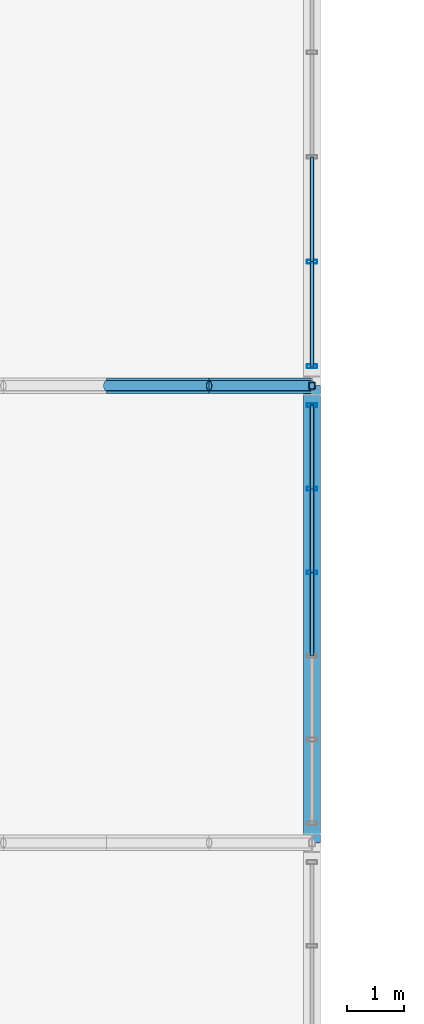
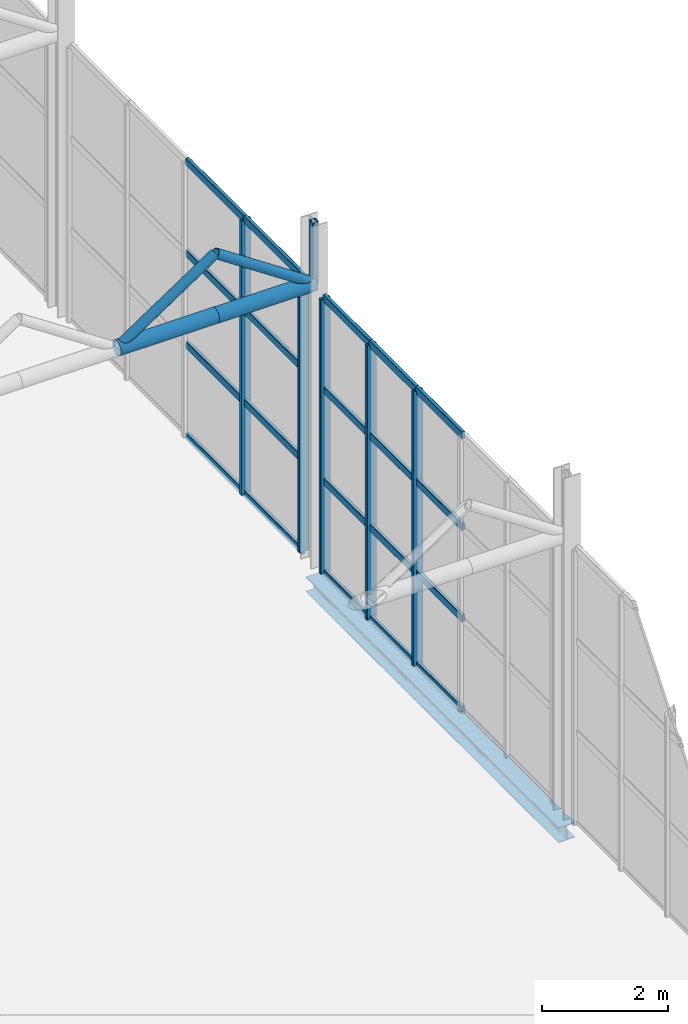
# One storey, part 93 of 153: 30 members, 1 beam, 2 elements without a shape of their own.
"""IFC4 building model written with IfcOpenShell, lengths in metres."""

from ifc_helpers import new_model, si_unit, derived_unit, direction, frame, origin, origin_2d, place, context, subcontext, project, spatial, hollow_rectangle, hollow_circle, i_section, extrude, material, material_profile, profile_set, type_object, element, aggregate, save


model = new_model("IFC4")

# Units and contexts
model_context = context("Model", 3, precision=1e-05, world=origin(), true_north=direction((0.0, 1.0)))
body_context = subcontext(model_context, "Body", "Model", "MODEL_VIEW")
ifc_project = project(units=[si_unit("LENGTHUNIT", "METRE"), si_unit("AREAUNIT", "SQUARE_METRE"), si_unit("VOLUMEUNIT", "CUBIC_METRE"), si_unit("PLANEANGLEUNIT", "RADIAN"), si_unit("MASSUNIT", "GRAM", prefix="KILO"), derived_unit("THERMALTRANSMITTANCEUNIT", [(si_unit("POWERUNIT", "WATT"), 1), (si_unit("LENGTHUNIT", "METRE"), -2), (si_unit("THERMODYNAMICTEMPERATUREUNIT", "KELVIN"), -1)])], contexts=[model_context])

# Site, building, storey
site_placement = place(None, origin())
site = spatial("IfcSite", under=ifc_project, at=site_placement, CompositionType="ELEMENT")
building_placement = place(site_placement, origin())
building = spatial("IfcBuilding", under=site, at=building_placement, Name="Keldorne Ridge Multi-Sports Centre", CompositionType="ELEMENT")
storey_placement = place(building_placement, frame((0.0, 0.0, 9.60009765625)))
storey = spatial("IfcBuildingStorey", under=building, at=storey_placement, Name="L02", CompositionType="ELEMENT", Elevation=9.60009765625)

# Beam
ifc_material_1 = material(Name="Steel S355", Category="steel")
ifc_material_profile_1 = material_profile(ifc_material_1, i_section(OverallWidth=0.300048828125, OverallDepth=0.2900390625, WebThickness=0.008544921875, FlangeThickness=0.013916015625, FilletRadius=0.027099609375, at=origin_2d()), Name="HEA 300")
ifc_profile_set_1 = profile_set([ifc_material_profile_1], Name="Steel S355")
beam_type = type_object("IfcBeamType", Name="BM-SP-04", PredefinedType="SPANDREL", material=ifc_profile_set_1)
beam_placement = place(storey_placement, frame((42.0, 90.0, -0.39013671875), z_axis=(0.0, 1.0, 0.0), x_axis=(-1.0, 0.0, 0.0)))
element("IfcBeam", 1, at=beam_placement, inside=storey, type_object=beam_type, Name="Climbing east spandrel L02.3", PredefinedType="SPANDREL", context=body_context, shape_type="SweptSolid", body=[
    extrude(i_section(OverallWidth=0.300048828125, OverallDepth=0.2900390625, WebThickness=0.008544921875, FlangeThickness=0.013916015625, FilletRadius=0.027099609375, at=origin_2d()), origin(), (0.0, 0.0, 1.0), 8.0),
])

# Curtain wall, members
ifc_material_2 = material(Name="Anodized aluminium", Category="aluminium")
curtain_wall_type_1 = type_object("IfcCurtainWallType", Name="CW-CW-02", PredefinedType="NOTDEFINED", material=ifc_material_2)
curtain_wall_1_placement = place(storey_placement, origin())
curtain_wall_1 = element("IfcCurtainWall", 2, at=curtain_wall_1_placement, inside=storey, type_object=curtain_wall_type_1, Name="Climbing east courtyard glazing L02 066", PredefinedType="NOTDEFINED")
ifc_material_profile_2 = material_profile(ifc_material_2, hollow_rectangle(XDim=0.06494140625, YDim=0.179931640625, WallThickness=0.00439453125, InnerFilletRadius=0.00439453125, OuterFilletRadius=0.009033203125, at=origin_2d()), Name="ALU MULLION 180x65x4.5")
ifc_profile_set_2 = profile_set([ifc_material_profile_2], Name="Anodized aluminium")
member_type_1 = type_object("IfcMemberType", Name="MEM-ML-01", PredefinedType="MULLION", material=ifc_profile_set_2)
member_1_placement = place(storey_placement, frame((42.0, 94.73193359375, 0.0), z_axis=(0.0, 0.0, 1.0), x_axis=(0.0, 1.0, 0.0)))
member_1 = element("IfcMember", 3, at=member_1_placement, type_object=member_type_1, Name="CW-066 vertical mullion 4", PredefinedType="MULLION", context=body_context, shape_type="SweptSolid", body=[
    extrude(hollow_rectangle(XDim=0.06494140625, YDim=0.179931640625, WallThickness=0.00439453125, InnerFilletRadius=0.00439453125, OuterFilletRadius=0.009033203125, at=origin_2d()), origin(), (0.0, 0.0, 1.0), 5.2998046875),
])
member_2_placement = place(storey_placement, frame((42.0, 96.196044921875, 0.0), z_axis=(0.0, 0.0, 1.0), x_axis=(0.0, 1.0, 0.0)))
member_2 = element("IfcMember", 4, at=member_2_placement, type_object=member_type_1, Name="CW-066 vertical mullion 5", PredefinedType="MULLION", context=body_context, shape_type="SweptSolid", body=[
    extrude(hollow_rectangle(XDim=0.06494140625, YDim=0.179931640625, WallThickness=0.00439453125, InnerFilletRadius=0.00439453125, OuterFilletRadius=0.009033203125, at=origin_2d()), origin(), (0.0, 0.0, 1.0), 5.2998046875),
])
member_3_placement = place(storey_placement, frame((42.0, 97.659912109375, 0.0), z_axis=(0.0, 0.0, 1.0), x_axis=(0.0, 1.0, 0.0)))
member_3 = element("IfcMember", 5, at=member_3_placement, type_object=member_type_1, Name="CW-066 vertical mullion 6", PredefinedType="MULLION", context=body_context, shape_type="SweptSolid", body=[
    extrude(hollow_rectangle(XDim=0.06494140625, YDim=0.179931640625, WallThickness=0.00439453125, InnerFilletRadius=0.00439453125, OuterFilletRadius=0.009033203125, at=origin_2d()), origin(), (0.0, 0.0, 1.0), 5.2998046875),
])

curtain_wall_type_2 = type_object("IfcCurtainWallType", Name="CW-CW-05", PredefinedType="NOTDEFINED", material=ifc_material_2)
curtain_wall_2_placement = place(storey_placement, origin())
curtain_wall_2 = element("IfcCurtainWall", 6, at=curtain_wall_2_placement, inside=storey, type_object=curtain_wall_type_2, Name="Climbing east courtyard glazing L02 069", PredefinedType="NOTDEFINED")
member_4_placement = place(storey_placement, frame((42.0, 98.340087890625, 0.0), z_axis=(0.0, 0.0, 1.0), x_axis=(0.0, 1.0, 0.0)))
member_4 = element("IfcMember", 7, at=member_4_placement, type_object=member_type_1, Name="CW-069 vertical mullion 1", PredefinedType="MULLION", context=body_context, shape_type="SweptSolid", body=[
    extrude(hollow_rectangle(XDim=0.06494140625, YDim=0.179931640625, WallThickness=0.00439453125, InnerFilletRadius=0.00439453125, OuterFilletRadius=0.009033203125, at=origin_2d()), origin(), (0.0, 0.0, 1.0), 5.2998046875),
])
member_5_placement = place(storey_placement, frame((42.0, 100.169921875, 0.0), z_axis=(0.0, 0.0, 1.0), x_axis=(0.0, 1.0, 0.0)))
member_5 = element("IfcMember", 8, at=member_5_placement, type_object=member_type_1, Name="CW-069 vertical mullion 2", PredefinedType="MULLION", context=body_context, shape_type="SweptSolid", body=[
    extrude(hollow_rectangle(XDim=0.06494140625, YDim=0.179931640625, WallThickness=0.00439453125, InnerFilletRadius=0.00439453125, OuterFilletRadius=0.009033203125, at=origin_2d()), origin(), (0.0, 0.0, 1.0), 5.2998046875),
])

# Members
ifc_material_profile_3 = material_profile(ifc_material_1, hollow_circle(Radius=0.136474609375, WallThickness=0.012451171875, at=origin_2d()), Name="CHS 273x12.5")
ifc_profile_set_3 = profile_set([ifc_material_profile_3], Name="Steel S355")
member_type_2 = type_object("IfcMemberType", Name="MEM-TC-05", PredefinedType="CHORD", material=ifc_profile_set_3)
for number, where, z_axis, x_axis, name in (
    (9, (38.39990234375, 98.0, 5.3798828125), (1.0, 0.0, 0.0), (0.0, 1.0, 0.0), "Climbing sawtooth ROOF TRUSS ST-04 bottom chord 19"),
    (10, (40.199951171875, 98.0, 5.3798828125), (1.0, 0.0, 0.0), (0.0, 1.0, 0.0), "Climbing sawtooth ROOF TRUSS ST-04 bottom chord 20"),
):
    element("IfcMember", number, at=place(storey_placement, frame(where, z_axis=z_axis, x_axis=x_axis)), inside=storey, type_object=member_type_2, Name=name, PredefinedType="CHORD", context=body_context, shape_type="SweptSolid", body=[
        extrude(hollow_circle(Radius=0.136474609375, WallThickness=0.012451171875, at=origin_2d()), origin(), (0.0, 0.0, 1.0), 1.800048828125),
    ])
ifc_material_profile_4 = material_profile(ifc_material_1, hollow_circle(Radius=0.0888671875, WallThickness=0.010009765625, at=origin_2d()), Name="CHS 177.8x10")
ifc_profile_set_4 = profile_set([ifc_material_profile_4], Name="Steel S355")
member_type_3 = type_object("IfcMemberType", Name="MEM-TD-03", PredefinedType="BRACE", material=ifc_profile_set_4)
for number, where, z_axis, x_axis, name in (
    (11, (38.39990234375, 98.0, 5.3798828125), (0.832067655982, 0.0, 0.554674152876), (0.0, 1.0, 0.0), "Climbing sawtooth web diagonal 04.19"),
    (12, (40.199951171875, 98.0, 6.579833984375), (0.832067655982, 0.0, -0.554674152876), (0.0, 1.0, 0.0), "Climbing sawtooth web diagonal 04.20"),
):
    element("IfcMember", number, at=place(storey_placement, frame(where, z_axis=z_axis, x_axis=x_axis)), inside=storey, type_object=member_type_3, Name=name, PredefinedType="BRACE", context=body_context, shape_type="SweptSolid", body=[
        extrude(hollow_circle(Radius=0.0888671875, WallThickness=0.010009765625, at=origin_2d()), origin(), (0.0, 0.0, 1.0), 2.163330078125),
    ])

# Member
ifc_material_profile_5 = material_profile(ifc_material_2, hollow_rectangle(XDim=0.06494140625, YDim=0.139892578125, WallThickness=0.00439453125, InnerFilletRadius=0.00439453125, OuterFilletRadius=0.009033203125, at=origin_2d()), Name="ALU TRANSOM 140x65x4.5")
ifc_profile_set_5 = profile_set([ifc_material_profile_5], Name="Anodized aluminium")
member_type_4 = type_object("IfcMemberType", Name="MEM-TR-01", PredefinedType="USERDEFINED", material=ifc_profile_set_5)
member_6_placement = place(storey_placement, frame((42.0, 93.26806640625, 0.0), z_axis=(0.0, 1.0, 0.0), x_axis=(-1.0, 0.0, 0.0)))
member_6 = element("IfcMember", 13, at=member_6_placement, type_object=member_type_4, Name="CW-066 transom 3.1", ObjectType="TRANSOM", PredefinedType="USERDEFINED", context=body_context, shape_type="SweptSolid", body=[
    extrude(hollow_rectangle(XDim=0.06494140625, YDim=0.139892578125, WallThickness=0.00439453125, InnerFilletRadius=0.00439453125, OuterFilletRadius=0.009033203125, at=origin_2d()), origin(), (0.0, 0.0, 1.0), 1.4638671875),
])

member_7_placement = place(storey_placement, frame((42.0, 93.26806640625, 1.7666015625), z_axis=(0.0, 1.0, 0.0), x_axis=(-1.0, 0.0, 0.0)))
member_7 = element("IfcMember", 14, at=member_7_placement, type_object=member_type_4, Name="CW-066 transom 3.2", ObjectType="TRANSOM", PredefinedType="USERDEFINED", context=body_context, shape_type="SweptSolid", body=[
    extrude(hollow_rectangle(XDim=0.06494140625, YDim=0.139892578125, WallThickness=0.00439453125, InnerFilletRadius=0.00439453125, OuterFilletRadius=0.009033203125, at=origin_2d()), origin(), (0.0, 0.0, 1.0), 1.4638671875),
])

member_8_placement = place(storey_placement, frame((42.0, 93.26806640625, 3.533203125), z_axis=(0.0, 1.0, 0.0), x_axis=(-1.0, 0.0, 0.0)))
member_8 = element("IfcMember", 15, at=member_8_placement, type_object=member_type_4, Name="CW-066 transom 3.3", ObjectType="TRANSOM", PredefinedType="USERDEFINED", context=body_context, shape_type="SweptSolid", body=[
    extrude(hollow_rectangle(XDim=0.06494140625, YDim=0.139892578125, WallThickness=0.00439453125, InnerFilletRadius=0.00439453125, OuterFilletRadius=0.009033203125, at=origin_2d()), origin(), (0.0, 0.0, 1.0), 1.4638671875),
])

member_9_placement = place(storey_placement, frame((42.0, 93.26806640625, 5.2998046875), z_axis=(0.0, 1.0, 0.0), x_axis=(-1.0, 0.0, 0.0)))
member_9 = element("IfcMember", 16, at=member_9_placement, type_object=member_type_4, Name="CW-066 transom 3.4", ObjectType="TRANSOM", PredefinedType="USERDEFINED", context=body_context, shape_type="SweptSolid", body=[
    extrude(hollow_rectangle(XDim=0.06494140625, YDim=0.139892578125, WallThickness=0.00439453125, InnerFilletRadius=0.00439453125, OuterFilletRadius=0.009033203125, at=origin_2d()), origin(), (0.0, 0.0, 1.0), 1.4638671875),
])

member_10_placement = place(storey_placement, frame((42.0, 94.73193359375, 0.0), z_axis=(0.0, 1.0, 0.0), x_axis=(-1.0, 0.0, 0.0)))
member_10 = element("IfcMember", 17, at=member_10_placement, type_object=member_type_4, Name="CW-066 transom 4.1", ObjectType="TRANSOM", PredefinedType="USERDEFINED", context=body_context, shape_type="SweptSolid", body=[
    extrude(hollow_rectangle(XDim=0.06494140625, YDim=0.139892578125, WallThickness=0.00439453125, InnerFilletRadius=0.00439453125, OuterFilletRadius=0.009033203125, at=origin_2d()), origin(), (0.0, 0.0, 1.0), 1.464111328125),
])

member_11_placement = place(storey_placement, frame((42.0, 94.73193359375, 1.7666015625), z_axis=(0.0, 1.0, 0.0), x_axis=(-1.0, 0.0, 0.0)))
member_11 = element("IfcMember", 18, at=member_11_placement, type_object=member_type_4, Name="CW-066 transom 4.2", ObjectType="TRANSOM", PredefinedType="USERDEFINED", context=body_context, shape_type="SweptSolid", body=[
    extrude(hollow_rectangle(XDim=0.06494140625, YDim=0.139892578125, WallThickness=0.00439453125, InnerFilletRadius=0.00439453125, OuterFilletRadius=0.009033203125, at=origin_2d()), origin(), (0.0, 0.0, 1.0), 1.464111328125),
])

member_12_placement = place(storey_placement, frame((42.0, 94.73193359375, 3.533203125), z_axis=(0.0, 1.0, 0.0), x_axis=(-1.0, 0.0, 0.0)))
member_12 = element("IfcMember", 19, at=member_12_placement, type_object=member_type_4, Name="CW-066 transom 4.3", ObjectType="TRANSOM", PredefinedType="USERDEFINED", context=body_context, shape_type="SweptSolid", body=[
    extrude(hollow_rectangle(XDim=0.06494140625, YDim=0.139892578125, WallThickness=0.00439453125, InnerFilletRadius=0.00439453125, OuterFilletRadius=0.009033203125, at=origin_2d()), origin(), (0.0, 0.0, 1.0), 1.464111328125),
])

member_13_placement = place(storey_placement, frame((42.0, 94.73193359375, 5.2998046875), z_axis=(0.0, 1.0, 0.0), x_axis=(-1.0, 0.0, 0.0)))
member_13 = element("IfcMember", 20, at=member_13_placement, type_object=member_type_4, Name="CW-066 transom 4.4", ObjectType="TRANSOM", PredefinedType="USERDEFINED", context=body_context, shape_type="SweptSolid", body=[
    extrude(hollow_rectangle(XDim=0.06494140625, YDim=0.139892578125, WallThickness=0.00439453125, InnerFilletRadius=0.00439453125, OuterFilletRadius=0.009033203125, at=origin_2d()), origin(), (0.0, 0.0, 1.0), 1.464111328125),
])

member_14_placement = place(storey_placement, frame((42.0, 96.196044921875, 0.0), z_axis=(0.0, 1.0, 0.0), x_axis=(-1.0, 0.0, 0.0)))
member_14 = element("IfcMember", 21, at=member_14_placement, type_object=member_type_4, Name="CW-066 transom 5.1", ObjectType="TRANSOM", PredefinedType="USERDEFINED", context=body_context, shape_type="SweptSolid", body=[
    extrude(hollow_rectangle(XDim=0.06494140625, YDim=0.139892578125, WallThickness=0.00439453125, InnerFilletRadius=0.00439453125, OuterFilletRadius=0.009033203125, at=origin_2d()), origin(), (0.0, 0.0, 1.0), 1.4638671875),
])

member_15_placement = place(storey_placement, frame((42.0, 96.196044921875, 1.7666015625), z_axis=(0.0, 1.0, 0.0), x_axis=(-1.0, 0.0, 0.0)))
member_15 = element("IfcMember", 22, at=member_15_placement, type_object=member_type_4, Name="CW-066 transom 5.2", ObjectType="TRANSOM", PredefinedType="USERDEFINED", context=body_context, shape_type="SweptSolid", body=[
    extrude(hollow_rectangle(XDim=0.06494140625, YDim=0.139892578125, WallThickness=0.00439453125, InnerFilletRadius=0.00439453125, OuterFilletRadius=0.009033203125, at=origin_2d()), origin(), (0.0, 0.0, 1.0), 1.4638671875),
])

member_16_placement = place(storey_placement, frame((42.0, 96.196044921875, 3.533203125), z_axis=(0.0, 1.0, 0.0), x_axis=(-1.0, 0.0, 0.0)))
member_16 = element("IfcMember", 23, at=member_16_placement, type_object=member_type_4, Name="CW-066 transom 5.3", ObjectType="TRANSOM", PredefinedType="USERDEFINED", context=body_context, shape_type="SweptSolid", body=[
    extrude(hollow_rectangle(XDim=0.06494140625, YDim=0.139892578125, WallThickness=0.00439453125, InnerFilletRadius=0.00439453125, OuterFilletRadius=0.009033203125, at=origin_2d()), origin(), (0.0, 0.0, 1.0), 1.4638671875),
])

member_17_placement = place(storey_placement, frame((42.0, 96.196044921875, 5.2998046875), z_axis=(0.0, 1.0, 0.0), x_axis=(-1.0, 0.0, 0.0)))
member_17 = element("IfcMember", 24, at=member_17_placement, type_object=member_type_4, Name="CW-066 transom 5.4", ObjectType="TRANSOM", PredefinedType="USERDEFINED", context=body_context, shape_type="SweptSolid", body=[
    extrude(hollow_rectangle(XDim=0.06494140625, YDim=0.139892578125, WallThickness=0.00439453125, InnerFilletRadius=0.00439453125, OuterFilletRadius=0.009033203125, at=origin_2d()), origin(), (0.0, 0.0, 1.0), 1.4638671875),
])

aggregate(curtain_wall_1, [member_1, member_2, member_3, member_6, member_7, member_8, member_9, member_10, member_11, member_12, member_13, member_14, member_15, member_16, member_17])

member_18_placement = place(storey_placement, frame((42.0, 98.340087890625, 0.0), z_axis=(0.0, 1.0, 0.0), x_axis=(-1.0, 0.0, 0.0)))
member_18 = element("IfcMember", 25, at=member_18_placement, type_object=member_type_4, Name="CW-069 transom 1.1", ObjectType="TRANSOM", PredefinedType="USERDEFINED", context=body_context, shape_type="SweptSolid", body=[
    extrude(hollow_rectangle(XDim=0.06494140625, YDim=0.139892578125, WallThickness=0.00439453125, InnerFilletRadius=0.00439453125, OuterFilletRadius=0.009033203125, at=origin_2d()), origin(), (0.0, 0.0, 1.0), 1.829833984375),
])

member_19_placement = place(storey_placement, frame((42.0, 98.340087890625, 1.7666015625), z_axis=(0.0, 1.0, 0.0), x_axis=(-1.0, 0.0, 0.0)))
member_19 = element("IfcMember", 26, at=member_19_placement, type_object=member_type_4, Name="CW-069 transom 1.2", ObjectType="TRANSOM", PredefinedType="USERDEFINED", context=body_context, shape_type="SweptSolid", body=[
    extrude(hollow_rectangle(XDim=0.06494140625, YDim=0.139892578125, WallThickness=0.00439453125, InnerFilletRadius=0.00439453125, OuterFilletRadius=0.009033203125, at=origin_2d()), origin(), (0.0, 0.0, 1.0), 1.829833984375),
])

member_20_placement = place(storey_placement, frame((42.0, 98.340087890625, 3.533203125), z_axis=(0.0, 1.0, 0.0), x_axis=(-1.0, 0.0, 0.0)))
member_20 = element("IfcMember", 27, at=member_20_placement, type_object=member_type_4, Name="CW-069 transom 1.3", ObjectType="TRANSOM", PredefinedType="USERDEFINED", context=body_context, shape_type="SweptSolid", body=[
    extrude(hollow_rectangle(XDim=0.06494140625, YDim=0.139892578125, WallThickness=0.00439453125, InnerFilletRadius=0.00439453125, OuterFilletRadius=0.009033203125, at=origin_2d()), origin(), (0.0, 0.0, 1.0), 1.829833984375),
])

member_21_placement = place(storey_placement, frame((42.0, 98.340087890625, 5.2998046875), z_axis=(0.0, 1.0, 0.0), x_axis=(-1.0, 0.0, 0.0)))
member_21 = element("IfcMember", 28, at=member_21_placement, type_object=member_type_4, Name="CW-069 transom 1.4", ObjectType="TRANSOM", PredefinedType="USERDEFINED", context=body_context, shape_type="SweptSolid", body=[
    extrude(hollow_rectangle(XDim=0.06494140625, YDim=0.139892578125, WallThickness=0.00439453125, InnerFilletRadius=0.00439453125, OuterFilletRadius=0.009033203125, at=origin_2d()), origin(), (0.0, 0.0, 1.0), 1.829833984375),
])

member_22_placement = place(storey_placement, frame((42.0, 100.169921875, 0.0), z_axis=(0.0, 1.0, 0.0), x_axis=(-1.0, 0.0, 0.0)))
member_22 = element("IfcMember", 29, at=member_22_placement, type_object=member_type_4, Name="CW-069 transom 2.1", ObjectType="TRANSOM", PredefinedType="USERDEFINED", context=body_context, shape_type="SweptSolid", body=[
    extrude(hollow_rectangle(XDim=0.06494140625, YDim=0.139892578125, WallThickness=0.00439453125, InnerFilletRadius=0.00439453125, OuterFilletRadius=0.009033203125, at=origin_2d()), origin(), (0.0, 0.0, 1.0), 1.830078125),
])

member_23_placement = place(storey_placement, frame((42.0, 100.169921875, 1.7666015625), z_axis=(0.0, 1.0, 0.0), x_axis=(-1.0, 0.0, 0.0)))
member_23 = element("IfcMember", 30, at=member_23_placement, type_object=member_type_4, Name="CW-069 transom 2.2", ObjectType="TRANSOM", PredefinedType="USERDEFINED", context=body_context, shape_type="SweptSolid", body=[
    extrude(hollow_rectangle(XDim=0.06494140625, YDim=0.139892578125, WallThickness=0.00439453125, InnerFilletRadius=0.00439453125, OuterFilletRadius=0.009033203125, at=origin_2d()), origin(), (0.0, 0.0, 1.0), 1.830078125),
])

member_24_placement = place(storey_placement, frame((42.0, 100.169921875, 3.533203125), z_axis=(0.0, 1.0, 0.0), x_axis=(-1.0, 0.0, 0.0)))
member_24 = element("IfcMember", 31, at=member_24_placement, type_object=member_type_4, Name="CW-069 transom 2.3", ObjectType="TRANSOM", PredefinedType="USERDEFINED", context=body_context, shape_type="SweptSolid", body=[
    extrude(hollow_rectangle(XDim=0.06494140625, YDim=0.139892578125, WallThickness=0.00439453125, InnerFilletRadius=0.00439453125, OuterFilletRadius=0.009033203125, at=origin_2d()), origin(), (0.0, 0.0, 1.0), 1.830078125),
])

member_25_placement = place(storey_placement, frame((42.0, 100.169921875, 5.2998046875), z_axis=(0.0, 1.0, 0.0), x_axis=(-1.0, 0.0, 0.0)))
member_25 = element("IfcMember", 32, at=member_25_placement, type_object=member_type_4, Name="CW-069 transom 2.4", ObjectType="TRANSOM", PredefinedType="USERDEFINED", context=body_context, shape_type="SweptSolid", body=[
    extrude(hollow_rectangle(XDim=0.06494140625, YDim=0.139892578125, WallThickness=0.00439453125, InnerFilletRadius=0.00439453125, OuterFilletRadius=0.009033203125, at=origin_2d()), origin(), (0.0, 0.0, 1.0), 1.830078125),
])

aggregate(curtain_wall_2, [member_4, member_5, member_18, member_19, member_20, member_21, member_22, member_23, member_24, member_25])

ifc_material_profile_6 = material_profile(ifc_material_1, hollow_rectangle(XDim=0.1201171875, YDim=0.1201171875, WallThickness=0.008056640625, InnerFilletRadius=0.008056640625, OuterFilletRadius=0.01611328125, at=origin_2d()), Name="SHS 120x120x8")
ifc_profile_set_6 = profile_set([ifc_material_profile_6], Name="Steel S355")
member_type_5 = type_object("IfcMemberType", Name="MEM-TV-02", PredefinedType="STRUT", material=ifc_profile_set_6)
member_26_placement = place(storey_placement, frame((42.0, 98.0, 5.3798828125), z_axis=(0.0, 0.0, 1.0), x_axis=(1.0, 0.0, 0.0)))
element("IfcMember", 33, at=member_26_placement, inside=storey, type_object=member_type_5, Name="Climbing sawtooth vertical strut 04.6", PredefinedType="STRUT", context=body_context, shape_type="SweptSolid", body=[
    extrude(hollow_rectangle(XDim=0.1201171875, YDim=0.1201171875, WallThickness=0.008056640625, InnerFilletRadius=0.008056640625, OuterFilletRadius=0.01611328125, at=origin_2d()), origin(), (0.0, 0.0, 1.0), 1.199951171875),
])

save(model, "model.ifc")
